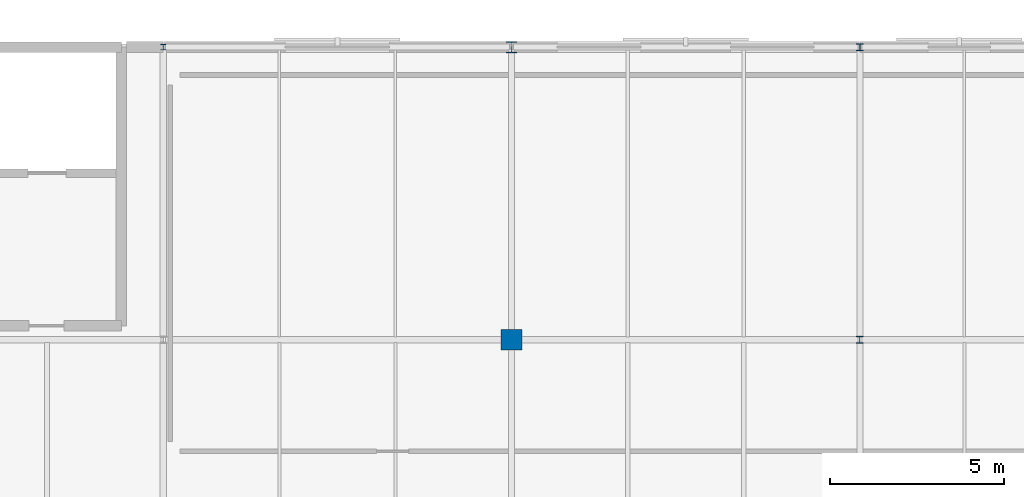
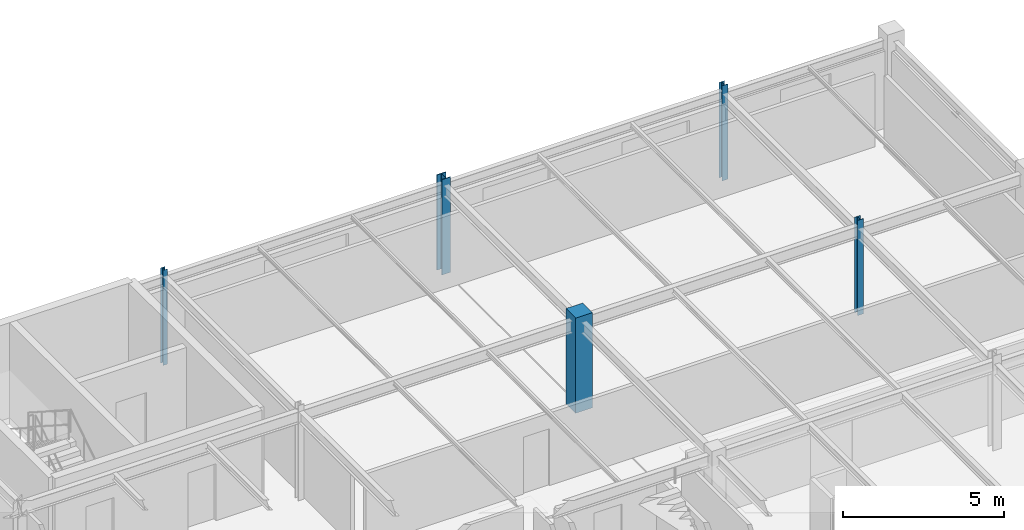
# One storey, part 24 of 109: 5 columns.
"""IFC4 building model written with IfcOpenShell, lengths in metres."""

from ifc_helpers import new_model, si_unit, derived_unit, direction, frame, origin, origin_2d_with_axis, place, context, subcontext, project, spatial, rectangle, i_section, extrude, material, material_profile, profile_set, type_object, element, save


model = new_model("IFC4")

# Units and contexts
model_context = context("Model", 3, precision=1e-05, world=origin(), true_north=direction((0.0, 1.0)))
body_context = subcontext(model_context, "Body", "Model", "MODEL_VIEW")
ifc_project = project(units=[si_unit("LENGTHUNIT", "METRE"), si_unit("AREAUNIT", "SQUARE_METRE"), si_unit("VOLUMEUNIT", "CUBIC_METRE"), si_unit("PLANEANGLEUNIT", "RADIAN"), si_unit("MASSUNIT", "GRAM", prefix="KILO"), derived_unit("THERMALTRANSMITTANCEUNIT", [(si_unit("POWERUNIT", "WATT"), 1), (si_unit("LENGTHUNIT", "METRE"), -2), (si_unit("THERMODYNAMICTEMPERATUREUNIT", "KELVIN"), -1)])], contexts=[model_context])

# Site, building, storey
site_placement = place(None, origin())
site = spatial("IfcSite", under=ifc_project, at=site_placement, CompositionType="ELEMENT")
building_placement = place(site_placement, origin())
building = spatial("IfcBuilding", under=site, at=building_placement, Name="Cinnabar Yard Market Hall", CompositionType="ELEMENT")
storey_placement = place(building_placement, frame((0.0, 0.0, 8.39990234375)))
storey = spatial("IfcBuildingStorey", under=building, at=storey_placement, Name="L02", CompositionType="ELEMENT", Elevation=8.39990234375)

# Columns
ifc_material_1 = material(Name="Steel Grade 350 (350 MPa)", Category="steel")
ifc_material_profile_1 = material_profile(ifc_material_1, i_section(OverallWidth=0.311279296875, OverallDepth=0.3271484375, WebThickness=0.015625, FlangeThickness=0.02490234375, FilletRadius=0.0166015625, at=origin_2d_with_axis()), Name="310UC158")
ifc_profile_set_1 = profile_set([ifc_material_profile_1], Name="Steel Grade 350 (350 MPa)")
column_type_1 = type_object("IfcColumnType", Name="COL-C06E", PredefinedType="COLUMN", material=ifc_profile_set_1)
column_1_placement = place(storey_placement, frame((146.0, 138.0, 0.0), z_axis=(0.0, 0.0, 1.0), x_axis=(1.0, 0.0, 0.0)))
element("IfcColumn", 1, at=column_1_placement, inside=storey, type_object=column_type_1, Name="Wing Column V3-09-05 L02", PredefinedType="COLUMN", context=body_context, shape_type="SweptSolid", body=[
    extrude(i_section(OverallWidth=0.311279296875, OverallDepth=0.3271484375, WebThickness=0.015625, FlangeThickness=0.02490234375, FilletRadius=0.0166015625, at=origin_2d_with_axis()), origin(), (0.0, 0.0, 1.0), 3.60009765625),
])
ifc_material_2 = material(Name="Steel Grade 300 (300 MPa)", Category="steel")
ifc_material_profile_2 = material_profile(ifc_material_2, i_section(OverallWidth=0.203369140625, OverallDepth=0.203369140625, WebThickness=0.00732421875, FlangeThickness=0.010986328125, FilletRadius=0.011474609375, at=origin_2d_with_axis()), Name="200UC46.2")
ifc_profile_set_2 = profile_set([ifc_material_profile_2], Name="Steel Grade 300 (300 MPa)")
column_type_2 = type_object("IfcColumnType", Name="COL-C13", PredefinedType="COLUMN", material=ifc_profile_set_2)
column_2_placement = place(storey_placement, frame((156.0, 129.60009765625, 0.0), z_axis=(0.0, 0.0, 1.0), x_axis=(1.0, 0.0, 0.0)))
element("IfcColumn", 2, at=column_2_placement, inside=storey, type_object=column_type_2, Name="Wing Column V3-10-04 L02", PredefinedType="COLUMN", context=body_context, shape_type="SweptSolid", body=[
    extrude(i_section(OverallWidth=0.203369140625, OverallDepth=0.203369140625, WebThickness=0.00732421875, FlangeThickness=0.010986328125, FilletRadius=0.011474609375, at=origin_2d_with_axis()), origin(), (0.0, 0.0, 1.0), 3.60009765625),
])
ifc_material_profile_3 = material_profile(ifc_material_2, i_section(OverallWidth=0.205078125, OverallDepth=0.209716796875, WebThickness=0.00927734375, FlangeThickness=0.01416015625, FilletRadius=0.011474609375, at=origin_2d_with_axis()), Name="200UC59.5")
ifc_profile_set_3 = profile_set([ifc_material_profile_3], Name="Steel Grade 300 (300 MPa)")
column_type_3 = type_object("IfcColumnType", Name="COL-C17E", PredefinedType="COLUMN", material=ifc_profile_set_3)
column_3_placement = place(storey_placement, frame((156.0, 138.0, 0.0), z_axis=(0.0, 0.0, 1.0), x_axis=(1.0, 0.0, 0.0)))
element("IfcColumn", 3, at=column_3_placement, inside=storey, type_object=column_type_3, Name="Wing Column V3-10-05 L02", PredefinedType="COLUMN", context=body_context, shape_type="SweptSolid", body=[
    extrude(i_section(OverallWidth=0.205078125, OverallDepth=0.209716796875, WebThickness=0.00927734375, FlangeThickness=0.01416015625, FilletRadius=0.011474609375, at=origin_2d_with_axis()), origin(), (0.0, 0.0, 1.0), 3.60009765625),
])
ifc_material_profile_4 = material_profile(ifc_material_2, i_section(OverallWidth=0.15283203125, OverallDepth=0.15771484375, WebThickness=0.006591796875, FlangeThickness=0.009521484375, FilletRadius=0.0087890625, at=origin_2d_with_axis()), Name="150UC30.0")
ifc_profile_set_4 = profile_set([ifc_material_profile_4], Name="Steel Grade 300 (300 MPa)")
column_type_4 = type_object("IfcColumnType", Name="COL-C18E", PredefinedType="COLUMN", material=ifc_profile_set_4)
column_4_placement = place(storey_placement, frame((136.0, 138.0, 0.0), z_axis=(0.0, 0.0, 1.0), x_axis=(1.0, 0.0, 0.0)))
element("IfcColumn", 4, at=column_4_placement, inside=storey, type_object=column_type_4, Name="Wing Column V3-08-05 L02", PredefinedType="COLUMN", context=body_context, shape_type="SweptSolid", body=[
    extrude(i_section(OverallWidth=0.15283203125, OverallDepth=0.15771484375, WebThickness=0.006591796875, FlangeThickness=0.009521484375, FilletRadius=0.0087890625, at=origin_2d_with_axis()), origin(), (0.0, 0.0, 1.0), 3.60009765625),
])
ifc_material_3 = material(Name="Concrete 40 MPa", Category="concrete")
ifc_material_profile_5 = material_profile(ifc_material_3, rectangle(XDim=0.60009765625, YDim=0.60009765625, at=origin_2d_with_axis()), Name="RC-600x600")
ifc_profile_set_5 = profile_set([ifc_material_profile_5], Name="Concrete 40 MPa")
column_type_5 = type_object("IfcColumnType", Name="COL-RC2", PredefinedType="COLUMN", material=ifc_profile_set_5)
column_5_placement = place(storey_placement, frame((146.0, 129.60009765625, 0.0), z_axis=(0.0, 0.0, 1.0), x_axis=(1.0, 0.0, 0.0)))
element("IfcColumn", 5, at=column_5_placement, inside=storey, type_object=column_type_5, Name="Wing Column V3-09-04 L02", PredefinedType="COLUMN", context=body_context, shape_type="SweptSolid", body=[
    extrude(rectangle(XDim=0.60009765625, YDim=0.60009765625, at=origin_2d_with_axis()), origin(), (0.0, 0.0, 1.0), 3.60009765625),
])

save(model, "model.ifc")
